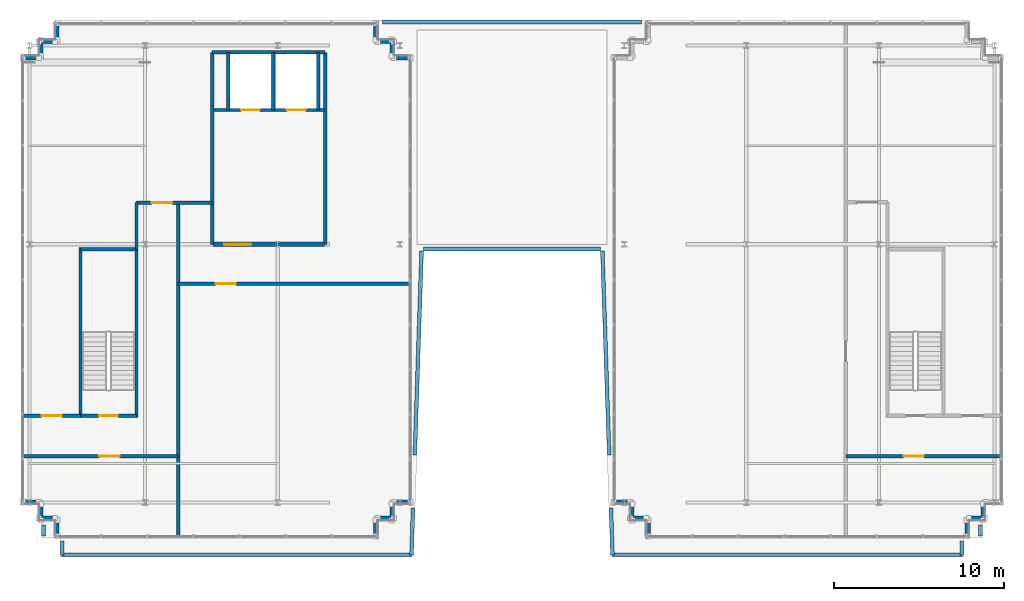
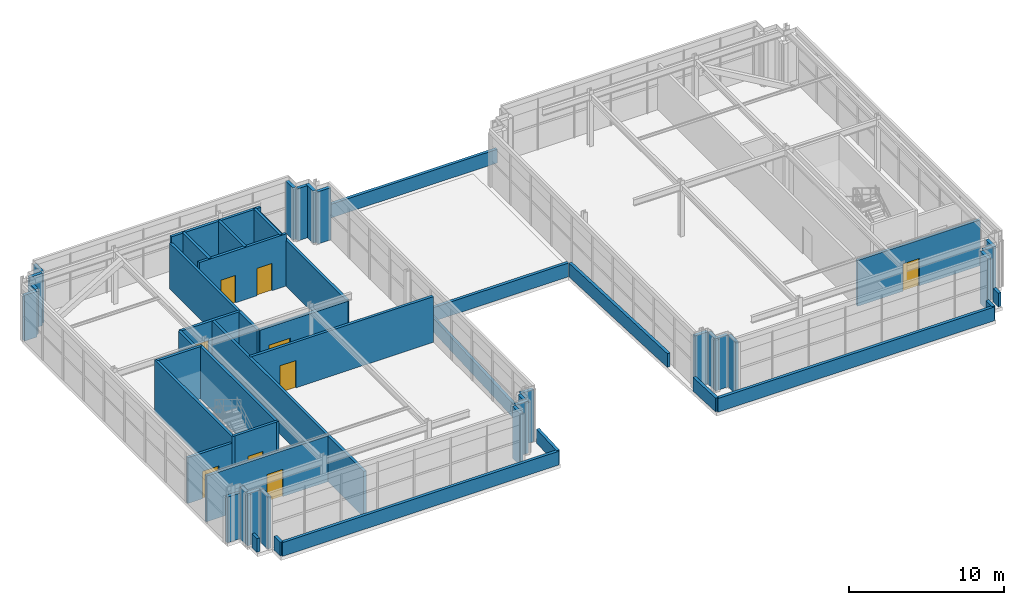
# One storey, part 28 of 31: 54 walls, 9 doors, 9 openings.
"""IFC4 building model written with IfcOpenShell, lengths in metres."""

from ifc_helpers import new_model, si_unit, direction, frame, frame_2d, origin, place, context, subcontext, project, spatial, rectangle, extrude, source, transform, mapped, material, layer, layer_set, type_object, element, fill, save


model = new_model("IFC4")

# Units and contexts
model_context = context("Model", 3, precision=1e-05, world=origin(), true_north=direction((0.0, 1.0)))
body_context = subcontext(model_context, "Body", "Model", "MODEL_VIEW")
ifc_project = project(units=[si_unit("LENGTHUNIT", "METRE"), si_unit("AREAUNIT", "SQUARE_METRE"), si_unit("VOLUMEUNIT", "CUBIC_METRE"), si_unit("PLANEANGLEUNIT", "RADIAN"), si_unit("MASSUNIT", "GRAM", prefix="KILO")], contexts=[model_context])

# Site, building, storey
site_placement = place(None, origin())
site = spatial("IfcSite", under=ifc_project, at=site_placement, CompositionType="ELEMENT")
building_placement = place(site_placement, origin())
building = spatial("IfcBuilding", under=site, at=building_placement, Name="Trelvane Seafront Commons", CompositionType="ELEMENT")
storey_placement = place(building_placement, frame((0.0, 0.0, 307.89990234375)))
storey = spatial("IfcBuildingStorey", under=building, at=storey_placement, Name="L80", CompositionType="ELEMENT", Elevation=307.89990234375)

# Walls
ifc_material_1 = material(Name="Precast concrete C40/50", Category="concrete")
ifc_layer_1 = layer(ifc_material_1, 0.239990234375, Name="ARCH-WALL-EXT240")
ifc_layer_set_1 = layer_set([ifc_layer_1], Name="Precast concrete C40/50")
wall_type_1 = type_object("IfcWallType", Name="ARCH-WALL-EXT240", PredefinedType="SOLIDWALL", material=ifc_layer_set_1)
wall_1_placement = place(storey_placement, frame((10.300048828125, 17.27001953125, 0.0), z_axis=(0.0, 0.0, 1.0), x_axis=(-1.0, 0.0, 0.0)))
element("IfcWall", 1, at=wall_1_placement, inside=storey, type_object=wall_type_1, Name="EW-L80-CRN-01648", PredefinedType="SOLIDWALL", context=body_context, shape_type="SweptSolid", body=[
    extrude(rectangle(XDim=0.949951171875, YDim=0.239990234375, at=frame_2d((0.47509765625, 0.0))), origin(), (0.0, 0.0, 1.0), 4.10009765625),
])
wall_2_placement = place(storey_placement, frame((9.469970703125, 17.14990234375, 0.0), z_axis=(0.0, 0.0, 1.0), x_axis=(0.0, 1.0, 0.0)))
element("IfcWall", 2, at=wall_2_placement, inside=storey, type_object=wall_type_1, Name="EW-L80-CRN-01649", PredefinedType="SOLIDWALL", context=body_context, shape_type="SweptSolid", body=[
    extrude(rectangle(XDim=0.9501953125, YDim=0.239990234375, at=frame_2d((0.47509765625, 0.0))), origin(), (0.0, 0.0, 1.0), 4.10009765625),
])
for number, where, z_axis, x_axis, name in (
    (3, (9.35009765625, 18.219970703125, 0.0), (0.0, 0.0, 1.0), (-1.0, 0.0, 0.0), "EW-L80-CRN-01650"),
    (4, (8.39990234375, 44.3798828125, 0.0), (0.0, 0.0, 1.0), (1.0, 0.0, 0.0), "EW-L80-CRN-01651"),
):
    element("IfcWall", number, at=place(storey_placement, frame(where, z_axis=z_axis, x_axis=x_axis)), inside=storey, type_object=wall_type_1, Name=name, PredefinedType="SOLIDWALL", context=body_context, shape_type="SweptSolid", body=[
        extrude(rectangle(XDim=0.9501953125, YDim=0.239990234375, at=frame_2d((0.47509765625, 0.0))), origin(), (0.0, 0.0, 1.0), 3.60009765625),
    ])
wall_3_placement = place(storey_placement, frame((9.469970703125, 44.5, 0.0), z_axis=(0.0, 0.0, 1.0), x_axis=(0.0, 1.0, 0.0)))
element("IfcWall", 5, at=wall_3_placement, inside=storey, type_object=wall_type_1, Name="EW-L80-CRN-01652", PredefinedType="SOLIDWALL", context=body_context, shape_type="SweptSolid", body=[
    extrude(rectangle(XDim=0.949951171875, YDim=0.239990234375, at=frame_2d((0.47509765625, 0.0))), origin(), (0.0, 0.0, 1.0), 3.60009765625),
])
for number, where, z_axis, x_axis, name in (
    (6, (9.35009765625, 45.330078125, 0.0), (0.0, 0.0, 1.0), (1.0, 0.0, 0.0), "EW-L80-CRN-01653"),
    (7, (10.419921875, 45.449951171875, 0.0), (0.0, 0.0, 1.0), (0.0, 1.0, 0.0), "EW-L80-CRN-01654"),
    (8, (29.179931640625, 46.39990234375, 0.0), (0.0, 0.0, 1.0), (0.0, -1.0, 0.0), "EW-L80-CRN-01655"),
    (9, (29.300048828125, 45.330078125, 0.0), (0.0, 0.0, 1.0), (1.0, 0.0, 0.0), "EW-L80-CRN-01656"),
    (10, (30.1298828125, 45.449951171875, 0.0), (0.0, 0.0, 1.0), (0.0, -1.0, 0.0), "EW-L80-CRN-01657"),
    (11, (30.25, 44.3798828125, 0.0), (0.0, 0.0, 1.0), (1.0, 0.0, 0.0), "EW-L80-CRN-01658"),
    (12, (31.199951171875, 18.219970703125, 0.0), (0.0, 0.0, 1.0), (-1.0, 0.0, 0.0), "EW-L80-CRN-01659"),
):
    element("IfcWall", number, at=place(storey_placement, frame(where, z_axis=z_axis, x_axis=x_axis)), inside=storey, type_object=wall_type_1, Name=name, PredefinedType="SOLIDWALL", context=body_context, shape_type="SweptSolid", body=[
        extrude(rectangle(XDim=0.949951171875, YDim=0.239990234375, at=frame_2d((0.47509765625, 0.0))), origin(), (0.0, 0.0, 1.0), 4.10009765625),
    ])
wall_4_placement = place(storey_placement, frame((30.1298828125, 18.10009765625, 0.0), z_axis=(0.0, 0.0, 1.0), x_axis=(0.0, -1.0, 0.0)))
element("IfcWall", 13, at=wall_4_placement, inside=storey, type_object=wall_type_1, Name="EW-L80-CRN-01660", PredefinedType="SOLIDWALL", context=body_context, shape_type="SweptSolid", body=[
    extrude(rectangle(XDim=0.9501953125, YDim=0.239990234375, at=frame_2d((0.47509765625, 0.0))), origin(), (0.0, 0.0, 1.0), 4.10009765625),
])
for number, where, z_axis, x_axis, name in (
    (14, (30.25, 17.27001953125, 0.0), (0.0, 0.0, 1.0), (-1.0, 0.0, 0.0), "EW-L80-CRN-01661"),
    (15, (29.179931640625, 17.14990234375, 0.0), (0.0, 0.0, 1.0), (0.0, -1.0, 0.0), "EW-L80-CRN-01662"),
    (16, (10.419921875, 16.199951171875, 0.0), (0.0, 0.0, 1.0), (0.0, 1.0, 0.0), "EW-L80-CRN-01663"),
):
    element("IfcWall", number, at=place(storey_placement, frame(where, z_axis=z_axis, x_axis=x_axis)), inside=storey, type_object=wall_type_1, Name=name, PredefinedType="SOLIDWALL", context=body_context, shape_type="SweptSolid", body=[
        extrude(rectangle(XDim=0.949951171875, YDim=0.239990234375, at=frame_2d((0.47509765625, 0.0))), origin(), (0.0, 0.0, 1.0), 4.10009765625),
    ])
for number, where, z_axis, x_axis, name in (
    (17, (45.10009765625, 17.27001953125, 0.0), (0.0, 0.0, 1.0), (-1.0, 0.0, 0.0), "EW-L80-CRN-01664"),
    (18, (44.27001953125, 17.14990234375, 0.0), (0.0, 0.0, 1.0), (0.0, 1.0, 0.0), "EW-L80-CRN-01665"),
):
    element("IfcWall", number, at=place(storey_placement, frame(where, z_axis=z_axis, x_axis=x_axis)), inside=storey, type_object=wall_type_1, Name=name, PredefinedType="SOLIDWALL", context=body_context, shape_type="SweptSolid", body=[
        extrude(rectangle(XDim=0.9501953125, YDim=0.239990234375, at=frame_2d((0.47509765625, 0.0))), origin(), (0.0, 0.0, 1.0), 4.10009765625),
    ])
wall_5_placement = place(storey_placement, frame((44.14990234375, 18.219970703125, 0.0), z_axis=(0.0, 0.0, 1.0), x_axis=(-1.0, 0.0, 0.0)))
element("IfcWall", 19, at=wall_5_placement, inside=storey, type_object=wall_type_1, Name="EW-L80-CRN-01666", PredefinedType="SOLIDWALL", context=body_context, shape_type="SweptSolid", body=[
    extrude(rectangle(XDim=0.949951171875, YDim=0.239990234375, at=frame_2d((0.47509765625, 0.0))), origin(), (0.0, 0.0, 1.0), 4.10009765625),
])
wall_6_placement = place(storey_placement, frame((64.929931640625, 18.10009765625, 0.0), z_axis=(0.0, 0.0, 1.0), x_axis=(0.0, -1.0, 0.0)))
element("IfcWall", 20, at=wall_6_placement, inside=storey, type_object=wall_type_1, Name="EW-L80-CRN-01676", PredefinedType="SOLIDWALL", context=body_context, shape_type="SweptSolid", body=[
    extrude(rectangle(XDim=0.9501953125, YDim=0.239990234375, at=frame_2d((0.47509765625, 0.0))), origin(), (0.0, 0.0, 1.0), 4.10009765625),
])
for number, where, z_axis, x_axis, name in (
    (21, (65.050048828125, 17.27001953125, 0.0), (0.0, 0.0, 1.0), (-1.0, 0.0, 0.0), "EW-L80-CRN-01677"),
    (22, (63.97998046875, 17.14990234375, 0.0), (0.0, 0.0, 1.0), (0.0, -1.0, 0.0), "EW-L80-CRN-01678"),
    (23, (45.219970703125, 16.199951171875, 0.0), (0.0, 0.0, 1.0), (0.0, 1.0, 0.0), "EW-L80-CRN-01679"),
):
    element("IfcWall", number, at=place(storey_placement, frame(where, z_axis=z_axis, x_axis=x_axis)), inside=storey, type_object=wall_type_1, Name=name, PredefinedType="SOLIDWALL", context=body_context, shape_type="SweptSolid", body=[
        extrude(rectangle(XDim=0.949951171875, YDim=0.239990234375, at=frame_2d((0.47509765625, 0.0))), origin(), (0.0, 0.0, 1.0), 4.10009765625),
    ])
ifc_material_2 = material(Name="Concrete C40/50", Category="concrete")
ifc_layer_2 = layer(ifc_material_2, 0.199951171875, Name="ARCH-WALL-FIRE200")
ifc_layer_set_2 = layer_set([ifc_layer_2], Name="Concrete C40/50")
wall_type_2 = type_object("IfcWallType", Name="ARCH-WALL-FIRE200", PredefinedType="PARTITIONING", material=ifc_layer_set_2)
wall_7_placement = place(storey_placement, frame((19.550048828125, 33.39990234375, 0.0), z_axis=(0.0, 0.0, 1.0), x_axis=(0.0, 1.0, 0.0)))
element("IfcWall", 24, at=wall_7_placement, inside=storey, type_object=wall_type_2, Name="W-L80-FFL-WEST-CR-009", PredefinedType="PARTITIONING", context=body_context, shape_type="SweptSolid", body=[
    extrude(rectangle(XDim=11.300048828125, YDim=0.199951171875, at=frame_2d((5.64990234375, 0.0))), origin(), (0.0, 0.0, 1.0), 3.60009765625),
])
wall_8_placement = place(storey_placement, frame((19.550048828125, 44.699951171875, 0.0), z_axis=(0.0, 0.0, 1.0), x_axis=(1.0, 0.0, 0.0)))
element("IfcWall", 25, at=wall_8_placement, inside=storey, type_object=wall_type_2, Name="W-L80-FFL-NORTH-CR-010", PredefinedType="PARTITIONING", context=body_context, shape_type="SweptSolid", body=[
    extrude(rectangle(XDim=6.64990234375, YDim=0.199951171875, at=frame_2d((3.324951171875, 0.0))), origin(), (0.0, 0.0, 1.0), 4.10009765625),
])

# Wall, opening, door
wall_9_placement = place(storey_placement, frame((17.550048828125, 31.080078125, 0.0), z_axis=(0.0, 0.0, 1.0), x_axis=(1.0, 0.0, 0.0)))
wall_9 = element("IfcWall", 26, at=wall_9_placement, inside=storey, type_object=wall_type_2, Name="W-L80-CRNW-N-017", PredefinedType="PARTITIONING", context=body_context, shape_type="SweptSolid", body=[
    extrude(rectangle(XDim=13.639892578125, YDim=0.199951171875, at=frame_2d((6.81982421875, 0.0))), origin(), (0.0, 0.0, 1.0), 3.60009765625),
])
opening_1_placement = place(wall_9_placement, frame((2.199951171875, 0.0, 0.0)))
opening_1 = element("IfcOpeningElement", 27, at=opening_1_placement, cuts=wall_9, Name="Opening FD-L80-06", PredefinedType="OPENING", context=body_context, shape_type="SweptSolid", body=[
    extrude(rectangle(XDim=1.199951171875, YDim=2.14990234375, at=frame_2d((0.60009765625, 1.074951171875))), frame((0.0, 0.10986328125, 0.0), z_axis=(0.0, -1.0, 0.0), x_axis=(1.0, 0.0, 0.0)), (0.0, 0.0, 1.0), 0.219970703125),
])
ifc_material_3 = material(Name="Powder-coated aluminium frame", Category="aluminium")
door_type_1 = type_object("IfcDoorType", Name="ARCH-DR-FD60-1200", OperationType="NOTDEFINED", PredefinedType="DOOR", material=ifc_material_3)
shared_shape_1 = source(origin(), body_context, "Body", "SweptSolid", [
    extrude(rectangle(XDim=1.199951171875, YDim=2.14990234375, at=frame_2d((0.60009765625, 1.074951171875))), frame((0.0, 0.02490234375, 0.0), z_axis=(0.0, -1.0, 0.0), x_axis=(1.0, 0.0, 0.0)), (0.0, 0.0, 1.0), 0.050048828125),
])
door_1_placement = place(opening_1_placement, origin())
door_1 = element("IfcDoor", 28, at=door_1_placement, inside=storey, type_object=door_type_1, Name="L80 West AHU Plant Door", OperationType="SINGLE_SWING_RIGHT", OverallHeight=2.14990234375, OverallWidth=1.199951171875, PredefinedType="DOOR", context=body_context, shape_type="MappedRepresentation", body=[
    mapped(shared_shape_1, transform((0.0, 0.0, 0.0), x_axis=(1.0, 0.0, 0.0), y_axis=(0.0, 1.0, 0.0), z_axis=(0.0, 0.0, 1.0), scale=1.0)),
])
fill(opening_1, door_1)

# Wall
wall_10_placement = place(storey_placement, frame((17.550048828125, 16.2099609375, 0.0), z_axis=(0.0, 0.0, 1.0), x_axis=(0.0, 1.0, 0.0)))
element("IfcWall", 29, at=wall_10_placement, inside=storey, type_object=wall_type_2, Name="W-L80-CRNW-E-018", PredefinedType="PARTITIONING", context=body_context, shape_type="SweptSolid", body=[
    extrude(rectangle(XDim=19.64013671875, YDim=0.199951171875, at=frame_2d((9.820068359375, 0.0))), origin(), (0.0, 0.0, 1.0), 3.60009765625),
])

# Wall, opening, door
wall_11_placement = place(storey_placement, frame((8.409912109375, 20.919921875, 0.0), z_axis=(0.0, 0.0, 1.0), x_axis=(1.0, 0.0, 0.0)))
wall_11 = element("IfcWall", 30, at=wall_11_placement, inside=storey, type_object=wall_type_2, Name="W-L80-CRNW-S-019", PredefinedType="PARTITIONING", context=body_context, shape_type="SweptSolid", body=[
    extrude(rectangle(XDim=9.14013671875, YDim=0.199951171875, at=frame_2d((4.570068359375, 0.0))), origin(), (0.0, 0.0, 1.0), 3.60009765625),
])
opening_2_placement = place(wall_11_placement, frame((4.5, 0.0, 0.0)))
opening_2 = element("IfcOpeningElement", 31, at=opening_2_placement, cuts=wall_11, Name="Opening FD-L80-07", PredefinedType="OPENING", context=body_context, shape_type="SweptSolid", body=[
    extrude(rectangle(XDim=1.199951171875, YDim=2.14990234375, at=frame_2d((0.60009765625, 1.074951171875))), frame((0.0, 0.10986328125, 0.0), z_axis=(0.0, -1.0, 0.0), x_axis=(1.0, 0.0, 0.0)), (0.0, 0.0, 1.0), 0.219970703125),
])
door_2_placement = place(opening_2_placement, origin())
door_2 = element("IfcDoor", 32, at=door_2_placement, inside=storey, type_object=door_type_1, Name="L80 Emergency Power Room Door", OperationType="SINGLE_SWING_LEFT", OverallHeight=2.14990234375, OverallWidth=1.199951171875, PredefinedType="DOOR", context=body_context, shape_type="MappedRepresentation", body=[
    mapped(shared_shape_1, transform((0.0, 0.0, 0.0), x_axis=(1.0, 0.0, 0.0), y_axis=(0.0, 1.0, 0.0), z_axis=(0.0, 0.0, 1.0), scale=1.0)),
])
fill(opening_2, door_2)

wall_12_placement = place(storey_placement, frame((8.409912109375, 23.300048828125, 0.0), z_axis=(0.0, 0.0, 1.0), x_axis=(1.0, 0.0, 0.0)))
wall_12 = element("IfcWall", 33, at=wall_12_placement, inside=storey, type_object=wall_type_2, Name="W-L80-CRNW-WCT-020", PredefinedType="PARTITIONING", context=body_context, shape_type="SweptSolid", body=[
    extrude(rectangle(XDim=3.39013671875, YDim=0.199951171875, at=frame_2d((1.695068359375, 0.0))), origin(), (0.0, 0.0, 1.0), 3.60009765625),
])
opening_3_placement = place(wall_12_placement, frame((1.10009765625, 0.0, 0.0)))
opening_3 = element("IfcOpeningElement", 34, at=opening_3_placement, cuts=wall_12, Name="Opening FD-L80-08", PredefinedType="OPENING", context=body_context, shape_type="SweptSolid", body=[
    extrude(rectangle(XDim=1.199951171875, YDim=2.14990234375, at=frame_2d((0.60009765625, 1.074951171875))), frame((0.0, 0.10986328125, 0.0), z_axis=(0.0, -1.0, 0.0), x_axis=(1.0, 0.0, 0.0)), (0.0, 0.0, 1.0), 0.219970703125),
])
door_3_placement = place(opening_3_placement, origin())
door_3 = element("IfcDoor", 35, at=door_3_placement, inside=storey, type_object=door_type_1, Name="L80 Cooling Tower Hall Door", OperationType="SINGLE_SWING_RIGHT", OverallHeight=2.14990234375, OverallWidth=1.199951171875, PredefinedType="DOOR", context=body_context, shape_type="MappedRepresentation", body=[
    mapped(shared_shape_1, transform((0.0, 0.0, 0.0), x_axis=(1.0, 0.0, 0.0), y_axis=(0.0, 1.0, 0.0), z_axis=(0.0, 0.0, 1.0), scale=1.0)),
])
fill(opening_3, door_3)

wall_13_placement = place(storey_placement, frame((15.10009765625, 35.85009765625, 0.0), z_axis=(0.0, 0.0, 1.0), x_axis=(1.0, 0.0, 0.0)))
wall_13 = element("IfcWall", 36, at=wall_13_placement, inside=storey, type_object=wall_type_2, Name="W-L80-CRNW-SPN-021", PredefinedType="PARTITIONING", context=body_context, shape_type="SweptSolid", body=[
    extrude(rectangle(XDim=4.449951171875, YDim=0.199951171875, at=frame_2d((2.22509765625, 0.0))), origin(), (0.0, 0.0, 1.0), 3.60009765625),
])
opening_4_placement = place(wall_13_placement, frame((0.89990234375, 0.0, 0.0)))
opening_4 = element("IfcOpeningElement", 37, at=opening_4_placement, cuts=wall_13, Name="Opening FD-L80-09", PredefinedType="OPENING", context=body_context, shape_type="SweptSolid", body=[
    extrude(rectangle(XDim=1.199951171875, YDim=2.14990234375, at=frame_2d((0.60009765625, 1.074951171875))), frame((0.0, 0.10986328125, 0.0), z_axis=(0.0, -1.0, 0.0), x_axis=(1.0, 0.0, 0.0)), (0.0, 0.0, 1.0), 0.219970703125),
])
door_4_placement = place(opening_4_placement, origin())
door_4 = element("IfcDoor", 38, at=door_4_placement, inside=storey, type_object=door_type_1, Name="L80 Door 09", OperationType="SINGLE_SWING_LEFT", OverallHeight=2.14990234375, OverallWidth=1.199951171875, PredefinedType="DOOR", context=body_context, shape_type="MappedRepresentation", body=[
    mapped(shared_shape_1, transform((0.0, 0.0, 0.0), x_axis=(1.0, 0.0, 0.0), y_axis=(0.0, 1.0, 0.0), z_axis=(0.0, 0.0, 1.0), scale=1.0)),
])
fill(opening_4, door_4)

# Wall
wall_14_placement = place(storey_placement, frame((15.10009765625, 33.10009765625, 0.0), z_axis=(0.0, 0.0, 1.0), x_axis=(0.0, 1.0, 0.0)))
element("IfcWall", 39, at=wall_14_placement, inside=storey, type_object=wall_type_2, Name="W-L80-CRNW-SPW-022", PredefinedType="PARTITIONING", context=body_context, shape_type="SweptSolid", body=[
    extrude(rectangle(XDim=2.75, YDim=0.199951171875, at=frame_2d((1.375, 0.0))), origin(), (0.0, 0.0, 1.0), 3.60009765625),
])

# Wall, opening, door
wall_15_placement = place(storey_placement, frame((56.85009765625, 20.919921875, 0.0), z_axis=(0.0, 0.0, 1.0), x_axis=(1.0, 0.0, 0.0)))
wall_15 = element("IfcWall", 40, at=wall_15_placement, inside=storey, type_object=wall_type_2, Name="W-L80-CRNE-S-024", PredefinedType="PARTITIONING", context=body_context, shape_type="SweptSolid", body=[
    extrude(rectangle(XDim=9.139892578125, YDim=0.199951171875, at=frame_2d((4.56982421875, 0.0))), origin(), (0.0, 0.0, 1.0), 3.60009765625),
])
opening_5_placement = place(wall_15_placement, frame((3.39990234375, 0.0, 0.0)))
opening_5 = element("IfcOpeningElement", 41, at=opening_5_placement, cuts=wall_15, Name="Opening FD-L80-11", PredefinedType="OPENING", context=body_context, shape_type="SweptSolid", body=[
    extrude(rectangle(XDim=1.199951171875, YDim=2.14990234375, at=frame_2d((0.60009765625, 1.074951171875))), frame((0.0, 0.10986328125, 0.0), z_axis=(0.0, -1.0, 0.0), x_axis=(1.0, 0.0, 0.0)), (0.0, 0.0, 1.0), 0.219970703125),
])
door_5_placement = place(opening_5_placement, origin())
door_5 = element("IfcDoor", 42, at=door_5_placement, inside=storey, type_object=door_type_1, Name="L80 Door 11", OperationType="SINGLE_SWING_LEFT", OverallHeight=2.14990234375, OverallWidth=1.199951171875, PredefinedType="DOOR", context=body_context, shape_type="MappedRepresentation", body=[
    mapped(shared_shape_1, transform((0.0, 0.0, 0.0), x_axis=(1.0, 0.0, 0.0), y_axis=(0.0, 1.0, 0.0), z_axis=(0.0, 0.0, 1.0), scale=1.0)),
])
fill(opening_5, door_5)

ifc_layer_3 = layer(ifc_material_2, 0.25, Name="ARCH-WALL-FIRE250")
ifc_layer_set_3 = layer_set([ifc_layer_3], Name="Concrete C40/50")
wall_type_3 = type_object("IfcWallType", Name="ARCH-WALL-FIRE250", PredefinedType="PARTITIONING", material=ifc_layer_set_3)
wall_16_placement = place(storey_placement, frame((19.60009765625, 33.39990234375, 0.0), z_axis=(0.0, 0.0, 1.0), x_axis=(1.0, 0.0, 0.0)))
wall_16 = element("IfcWall", 43, at=wall_16_placement, inside=storey, type_object=wall_type_3, Name="W-L80-CS-FFL-016", PredefinedType="PARTITIONING", context=body_context, shape_type="SweptSolid", body=[
    extrude(rectangle(XDim=6.5498046875, YDim=0.25, at=frame_2d((3.27490234375, 0.0))), origin(), (0.0, 0.0, 1.0), 3.60009765625),
])
opening_6_placement = place(wall_16_placement, frame((0.64990234375, 0.0, 0.0)))
opening_6 = element("IfcOpeningElement", 44, at=opening_6_placement, cuts=wall_16, Name="Opening FD-L80-05", PredefinedType="OPENING", context=body_context, shape_type="SweptSolid", body=[
    extrude(rectangle(XDim=1.60009765625, YDim=2.199951171875, at=frame_2d((0.800048828125, 1.10009765625))), frame((0.0, 0.135009765625, 0.0), z_axis=(0.0, -1.0, 0.0), x_axis=(1.0, 0.0, 0.0)), (0.0, 0.0, 1.0), 0.27001953125),
])
door_type_2 = type_object("IfcDoorType", Name="ARCH-DR-FD60-1600", OperationType="DOUBLE_DOOR_SINGLE_SWING", PredefinedType="DOOR", material=ifc_material_3)
shared_shape_2 = source(origin(), body_context, "Body", "SweptSolid", [
    extrude(rectangle(XDim=1.60009765625, YDim=2.199951171875, at=frame_2d((0.800048828125, 1.10009765625))), frame((0.0, 0.02490234375, 0.0), z_axis=(0.0, -1.0, 0.0), x_axis=(1.0, 0.0, 0.0)), (0.0, 0.0, 1.0), 0.050048828125),
])
door_6_placement = place(opening_6_placement, origin())
door_6 = element("IfcDoor", 45, at=door_6_placement, inside=storey, type_object=door_type_2, Name="L80 Firefighting Lift Lobby Double Fire Door", OperationType="DOUBLE_DOOR_SINGLE_SWING", OverallHeight=2.199951171875, OverallWidth=1.60009765625, PredefinedType="DOOR", context=body_context, shape_type="MappedRepresentation", body=[
    mapped(shared_shape_2, transform((0.0, 0.0, 0.0), x_axis=(1.0, 0.0, 0.0), y_axis=(0.0, 1.0, 0.0), z_axis=(0.0, 0.0, 1.0), scale=1.0)),
])
fill(opening_6, door_6)

# Walls
ifc_layer_4 = layer(ifc_material_1, 0.219970703125, Name="ARCH-WALL-PARAPET220")
ifc_layer_set_4 = layer_set([ifc_layer_4], Name="Precast concrete C40/50")
wall_type_4 = type_object("IfcWallType", Name="ARCH-WALL-PARAPET220", PredefinedType="PARAPET", material=ifc_layer_set_4)
wall_17_placement = place(storey_placement, frame((9.6201171875, 16.219970703125, 0.0), z_axis=(0.0, 0.0, 1.0), x_axis=(0.0, 1.0, 0.0)))
element("IfcWall", 46, at=wall_17_placement, inside=storey, type_object=wall_type_4, Name="PAR-L80-1680", PredefinedType="PARAPET", context=body_context, shape_type="SweptSolid", body=[
    extrude(rectangle(XDim=0.650146484375, YDim=0.219970703125, at=frame_2d((0.3251953125, 0.0))), origin(), (0.0, 0.0, 1.0), 1.080078125),
])
wall_18_placement = place(storey_placement, frame((29.568359375, 46.47998046875, 0.0), z_axis=(0.0, 0.0, 1.0), x_axis=(1.0, 0.0, 0.0)))
element("IfcWall", 47, at=wall_18_placement, inside=storey, type_object=wall_type_4, Name="PAR-L80-1681", PredefinedType="PARAPET", context=body_context, shape_type="SweptSolid", body=[
    extrude(rectangle(XDim=15.263427734375, YDim=0.219970703125, at=frame_2d((7.6318359375, 0.0))), origin(), (0.0, 0.0, 1.0), 1.080078125),
])
wall_19_placement = place(storey_placement, frame((63.679931640625, 15.919921875, 0.0), z_axis=(0.0, 0.0, 1.0), x_axis=(0.0, -1.0, 0.0)))
element("IfcWall", 48, at=wall_19_placement, inside=storey, type_object=wall_type_4, Name="PAR-L80-1682", PredefinedType="PARAPET", context=body_context, shape_type="SweptSolid", body=[
    extrude(rectangle(XDim=0.7998046875, YDim=0.219970703125, at=frame_2d((0.39990234375, 0.0))), origin(), (0.0, 0.0, 1.0), 1.080078125),
])
wall_20_placement = place(storey_placement, frame((63.679931640625, 15.1201171875, 0.0), z_axis=(0.0, 0.0, 1.0), x_axis=(-1.0, 0.0, 0.0)))
element("IfcWall", 49, at=wall_20_placement, inside=storey, type_object=wall_type_4, Name="PAR-L80-1683", PredefinedType="PARAPET", context=body_context, shape_type="SweptSolid", body=[
    extrude(rectangle(XDim=20.563720703125, YDim=0.219970703125, at=frame_2d((10.28173828125, 0.0))), origin(), (0.0, 0.0, 1.0), 1.080078125),
])
wall_21_placement = place(storey_placement, frame((43.1162109375, 15.1201171875, 0.0), z_axis=(0.0, 0.0, 1.0), x_axis=(-0.033391303709, 0.999442354934, 0.0)))
element("IfcWall", 50, at=wall_21_placement, inside=storey, type_object=wall_type_4, Name="PAR-L80-1684", PredefinedType="PARAPET", context=body_context, shape_type="SweptSolid", body=[
    extrude(rectangle(XDim=2.763671875, YDim=0.219970703125, at=frame_2d((1.3818359375, 0.0))), origin(), (0.0, 0.0, 1.0), 1.080078125),
])
wall_22_placement = place(storey_placement, frame((42.919921875, 21.001953125, 0.0), z_axis=(0.0, 0.0, 1.0), x_axis=(-0.033301291633, 0.999445358174, 0.0)))
element("IfcWall", 51, at=wall_22_placement, inside=storey, type_object=wall_type_4, Name="PAR-L80-1685", PredefinedType="PARAPET", context=body_context, shape_type="SweptSolid", body=[
    extrude(rectangle(XDim=12.008544921875, YDim=0.219970703125, at=frame_2d((6.00439453125, 0.0))), origin(), (0.0, 0.0, 1.0), 1.080078125),
])
wall_23_placement = place(storey_placement, frame((42.39990234375, 33.1201171875, 0.0), z_axis=(0.0, 0.0, 1.0), x_axis=(-1.0, 0.0, 0.0)))
element("IfcWall", 52, at=wall_23_placement, inside=storey, type_object=wall_type_4, Name="PAR-L80-1686", PredefinedType="PARAPET", context=body_context, shape_type="SweptSolid", body=[
    extrude(rectangle(XDim=10.39990234375, YDim=0.219970703125, at=frame_2d((5.199951171875, 0.0))), origin(), (0.0, 0.0, 1.0), 1.080078125),
])
wall_24_placement = place(storey_placement, frame((31.880126953125, 33.00390625, 0.0), z_axis=(0.0, 0.0, 1.0), x_axis=(-0.033321599525, -0.999444681313, 0.0)))
element("IfcWall", 53, at=wall_24_placement, inside=storey, type_object=wall_type_4, Name="PAR-L80-1687", PredefinedType="PARAPET", context=body_context, shape_type="SweptSolid", body=[
    extrude(rectangle(XDim=12.008544921875, YDim=0.219970703125, at=frame_2d((6.00439453125, 0.0))), origin(), (0.0, 0.0, 1.0), 1.080078125),
])
wall_25_placement = place(storey_placement, frame((31.3759765625, 17.88232421875, 0.0), z_axis=(0.0, 0.0, 1.0), x_axis=(-0.03330306503, -0.999445299083, 0.0)))
element("IfcWall", 54, at=wall_25_placement, inside=storey, type_object=wall_type_4, Name="PAR-L80-1688", PredefinedType="PARAPET", context=body_context, shape_type="SweptSolid", body=[
    extrude(rectangle(XDim=2.763671875, YDim=0.219970703125, at=frame_2d((1.3818359375, 0.0))), origin(), (0.0, 0.0, 1.0), 1.080078125),
])
wall_26_placement = place(storey_placement, frame((31.283935546875, 15.1201171875, 0.0), z_axis=(0.0, 0.0, 1.0), x_axis=(-1.0, 0.0, 0.0)))
element("IfcWall", 55, at=wall_26_placement, inside=storey, type_object=wall_type_4, Name="PAR-L80-1689", PredefinedType="PARAPET", context=body_context, shape_type="SweptSolid", body=[
    extrude(rectangle(XDim=20.56396484375, YDim=0.219970703125, at=frame_2d((10.281982421875, 0.0))), origin(), (0.0, 0.0, 1.0), 1.080078125),
])
wall_27_placement = place(storey_placement, frame((10.719970703125, 15.1201171875, 0.0), z_axis=(0.0, 0.0, 1.0), x_axis=(0.0, 1.0, 0.0)))
element("IfcWall", 56, at=wall_27_placement, inside=storey, type_object=wall_type_4, Name="PAR-L80-1690", PredefinedType="PARAPET", context=body_context, shape_type="SweptSolid", body=[
    extrude(rectangle(XDim=0.7998046875, YDim=0.219970703125, at=frame_2d((0.39990234375, 0.0))), origin(), (0.0, 0.0, 1.0), 1.080078125),
])
wall_28_placement = place(storey_placement, frame((64.780029296875, 16.8701171875, 0.0), z_axis=(0.0, 0.0, 1.0), x_axis=(0.0, -1.0, 0.0)))
element("IfcWall", 57, at=wall_28_placement, inside=storey, type_object=wall_type_4, Name="PAR-L80-1691", PredefinedType="PARAPET", context=body_context, shape_type="SweptSolid", body=[
    extrude(rectangle(XDim=0.650146484375, YDim=0.219970703125, at=frame_2d((0.3251953125, 0.0))), origin(), (0.0, 0.0, 1.0), 1.080078125),
])

# Wall, openings, doors
ifc_layer_5 = layer(ifc_material_2, 0.199951171875, Name="ARCH-WALL-SHAFT200")
ifc_layer_set_5 = layer_set([ifc_layer_5], Name="Concrete C40/50")
wall_type_5 = type_object("IfcWallType", Name="ARCH-WALL-SHAFT200", PredefinedType="SOLIDWALL", material=ifc_layer_set_5)
wall_29_placement = place(storey_placement, frame((19.64990234375, 41.300048828125, 0.0), z_axis=(0.0, 0.0, 1.0), x_axis=(1.0, 0.0, 0.0)))
wall_29 = element("IfcWall", 58, at=wall_29_placement, inside=storey, type_object=wall_type_5, Name="W-L80-FFL-FRONT-011", PredefinedType="SOLIDWALL", context=body_context, shape_type="SweptSolid", body=[
    extrude(rectangle(XDim=6.5, YDim=0.199951171875, at=frame_2d((3.25, 0.0))), origin(), (0.0, 0.0, 1.0), 4.10009765625),
])
opening_7_placement = place(wall_29_placement, frame((1.60009765625, 0.0, 0.0)))
opening_7 = element("IfcOpeningElement", 59, at=opening_7_placement, cuts=wall_29, Name="Opening LD-FF1-L80", PredefinedType="OPENING", context=body_context, shape_type="SweptSolid", body=[
    extrude(rectangle(XDim=1.10009765625, YDim=2.14990234375, at=frame_2d((0.550048828125, 1.074951171875))), frame((0.0, 0.10986328125, 0.0), z_axis=(0.0, -1.0, 0.0), x_axis=(1.0, 0.0, 0.0)), (0.0, 0.0, 1.0), 0.219970703125),
])
opening_8_placement = place(wall_29_placement, frame((4.300048828125, 0.0, 0.0)))
opening_8 = element("IfcOpeningElement", 60, at=opening_8_placement, cuts=wall_29, Name="Opening LD-FF2-L80", PredefinedType="OPENING", context=body_context, shape_type="SweptSolid", body=[
    extrude(rectangle(XDim=1.10009765625, YDim=2.14990234375, at=frame_2d((0.550048828125, 1.074951171875))), frame((0.0, 0.10986328125, 0.0), z_axis=(0.0, -1.0, 0.0), x_axis=(1.0, 0.0, 0.0)), (0.0, 0.0, 1.0), 0.219970703125),
])
ifc_material_4 = material(Name="Stainless steel balustrade", Category="steel")
door_type_3 = type_object("IfcDoorType", Name="ARCH-DR-LD1100", OperationType="DOUBLE_DOOR_SLIDING", PredefinedType="DOOR", material=ifc_material_4)
shared_shape_3 = source(origin(), body_context, "Body", "SweptSolid", [
    extrude(rectangle(XDim=1.10009765625, YDim=2.14990234375, at=frame_2d((0.550048828125, 1.074951171875))), frame((0.0, 0.02490234375, 0.0), z_axis=(0.0, -1.0, 0.0), x_axis=(1.0, 0.0, 0.0)), (0.0, 0.0, 1.0), 0.050048828125),
])
door_7_placement = place(opening_7_placement, origin())
door_7 = element("IfcDoor", 61, at=door_7_placement, inside=storey, type_object=door_type_3, Name="L80 Firefighting Lift FFL-1 Landing Door", OperationType="DOUBLE_DOOR_SLIDING", OverallHeight=2.14990234375, OverallWidth=1.10009765625, PredefinedType="DOOR", context=body_context, shape_type="MappedRepresentation", body=[
    mapped(shared_shape_3, transform((0.0, 0.0, 0.0), x_axis=(1.0, 0.0, 0.0), y_axis=(0.0, 1.0, 0.0), z_axis=(0.0, 0.0, 1.0), scale=1.0)),
])
fill(opening_7, door_7)
door_8_placement = place(opening_8_placement, origin())
door_8 = element("IfcDoor", 62, at=door_8_placement, inside=storey, type_object=door_type_3, Name="L80 Firefighting Lift FFL-2 Landing Door", OperationType="DOUBLE_DOOR_SLIDING", OverallHeight=2.14990234375, OverallWidth=1.10009765625, PredefinedType="DOOR", context=body_context, shape_type="MappedRepresentation", body=[
    mapped(shared_shape_3, transform((0.0, 0.0, 0.0), x_axis=(1.0, 0.0, 0.0), y_axis=(0.0, 1.0, 0.0), z_axis=(0.0, 0.0, 1.0), scale=1.0)),
])
fill(opening_8, door_8)

# Walls
for number, where, z_axis, x_axis, name in (
    (63, (20.5, 41.300048828125, 0.0), (0.0, 0.0, 1.0), (0.0, 1.0, 0.0), "W-L80-FFL-SH-W-012"),
    (64, (23.14990234375, 41.300048828125, 0.0), (0.0, 0.0, 1.0), (0.0, 1.0, 0.0), "W-L80-FFL-DIV-013"),
    (65, (25.800048828125, 41.300048828125, 0.0), (0.0, 0.0, 1.0), (0.0, 1.0, 0.0), "W-L80-FFL-SH-E-014"),
):
    element("IfcWall", number, at=place(storey_placement, frame(where, z_axis=z_axis, x_axis=x_axis)), inside=storey, type_object=wall_type_5, Name=name, PredefinedType="SOLIDWALL", context=body_context, shape_type="SweptSolid", body=[
        extrude(rectangle(XDim=3.39990234375, YDim=0.199951171875, at=frame_2d((1.699951171875, 0.0))), origin(), (0.0, 0.0, 1.0), 4.10009765625),
    ])
wall_30_placement = place(storey_placement, frame((26.199951171875, 33.39990234375, 0.0), z_axis=(0.0, 0.0, 1.0), x_axis=(0.0, 1.0, 0.0)))
element("IfcWall", 66, at=wall_30_placement, inside=storey, type_object=wall_type_5, Name="W-L80-FFL-EAST-015", PredefinedType="SOLIDWALL", context=body_context, shape_type="SweptSolid", body=[
    extrude(rectangle(XDim=11.300048828125, YDim=0.199951171875, at=frame_2d((5.64990234375, 0.0))), origin(), (0.0, 0.0, 1.0), 3.60009765625),
])
ifc_material_5 = material(Name="Concrete C50/60", Category="concrete")
ifc_layer_6 = layer(ifc_material_5, 0.199951171875, Name="STR-WALL-STAIR200")
ifc_layer_set_6 = layer_set([ifc_layer_6], Name="Concrete C50/60")
wall_type_6 = type_object("IfcWallType", Name="STR-WALL-STAIR200", PredefinedType="SHEAR", material=ifc_layer_set_6)
for number, where, z_axis, x_axis, name in (
    (67, (11.800048828125, 23.199951171875, 0.0), (0.0, 0.0, 1.0), (0.0, 1.0, 0.0), "W-L80-ST5-W-001"),
    (68, (15.10009765625, 23.199951171875, 0.0), (0.0, 0.0, 1.0), (0.0, 1.0, 0.0), "W-L80-ST5-E-002"),
):
    element("IfcWall", number, at=place(storey_placement, frame(where, z_axis=z_axis, x_axis=x_axis)), inside=storey, type_object=wall_type_6, Name=name, PredefinedType="SHEAR", context=body_context, shape_type="SweptSolid", body=[
        extrude(rectangle(XDim=10.0, YDim=0.199951171875, at=frame_2d((5.0, 0.0))), origin(), (0.0, 0.0, 1.0), 4.10009765625),
    ])
wall_31_placement = place(storey_placement, frame((11.800048828125, 33.10009765625, 0.0), z_axis=(0.0, 0.0, 1.0), x_axis=(1.0, 0.0, 0.0)))
element("IfcWall", 69, at=wall_31_placement, inside=storey, type_object=wall_type_6, Name="W-L80-ST5-N-003", PredefinedType="SHEAR", context=body_context, shape_type="SweptSolid", body=[
    extrude(rectangle(XDim=3.300048828125, YDim=0.199951171875, at=frame_2d((1.64990234375, 0.0))), origin(), (0.0, 0.0, 1.0), 4.10009765625),
])

# Wall, opening, door
wall_32_placement = place(storey_placement, frame((11.800048828125, 23.300048828125, 0.0), z_axis=(0.0, 0.0, 1.0), x_axis=(1.0, 0.0, 0.0)))
wall_32 = element("IfcWall", 70, at=wall_32_placement, inside=storey, type_object=wall_type_6, Name="W-L80-ST5-S-004", PredefinedType="SHEAR", context=body_context, shape_type="SweptSolid", body=[
    extrude(rectangle(XDim=3.300048828125, YDim=0.199951171875, at=frame_2d((1.64990234375, 0.0))), origin(), (0.0, 0.0, 1.0), 4.10009765625),
])
opening_9_placement = place(wall_32_placement, frame((1.10009765625, 0.0, 0.0)))
opening_9 = element("IfcOpeningElement", 71, at=opening_9_placement, cuts=wall_32, Name="Opening ST-D-ST5-L80", PredefinedType="OPENING", context=body_context, shape_type="SweptSolid", body=[
    extrude(rectangle(XDim=1.10009765625, YDim=2.14990234375, at=frame_2d((0.550048828125, 1.074951171875))), frame((0.0, 0.10986328125, 0.0), z_axis=(0.0, -1.0, 0.0), x_axis=(1.0, 0.0, 0.0)), (0.0, 0.0, 1.0), 0.219970703125),
])
door_type_4 = type_object("IfcDoorType", Name="ARCH-DR-FD90-1100", OperationType="NOTDEFINED", PredefinedType="DOOR", material=ifc_material_3)
door_9_placement = place(opening_9_placement, origin())
door_9 = element("IfcDoor", 72, at=door_9_placement, inside=storey, type_object=door_type_4, Name="L80 Crown ST5 Fire Door", OperationType="SINGLE_SWING_LEFT", OverallHeight=2.14990234375, OverallWidth=1.10009765625, PredefinedType="DOOR", context=body_context, shape_type="MappedRepresentation", body=[
    mapped(shared_shape_3, transform((0.0, 0.0, 0.0), x_axis=(1.0, 0.0, 0.0), y_axis=(0.0, 1.0, 0.0), z_axis=(0.0, 0.0, 1.0), scale=1.0)),
])
fill(opening_9, door_9)

save(model, "model.ifc")
